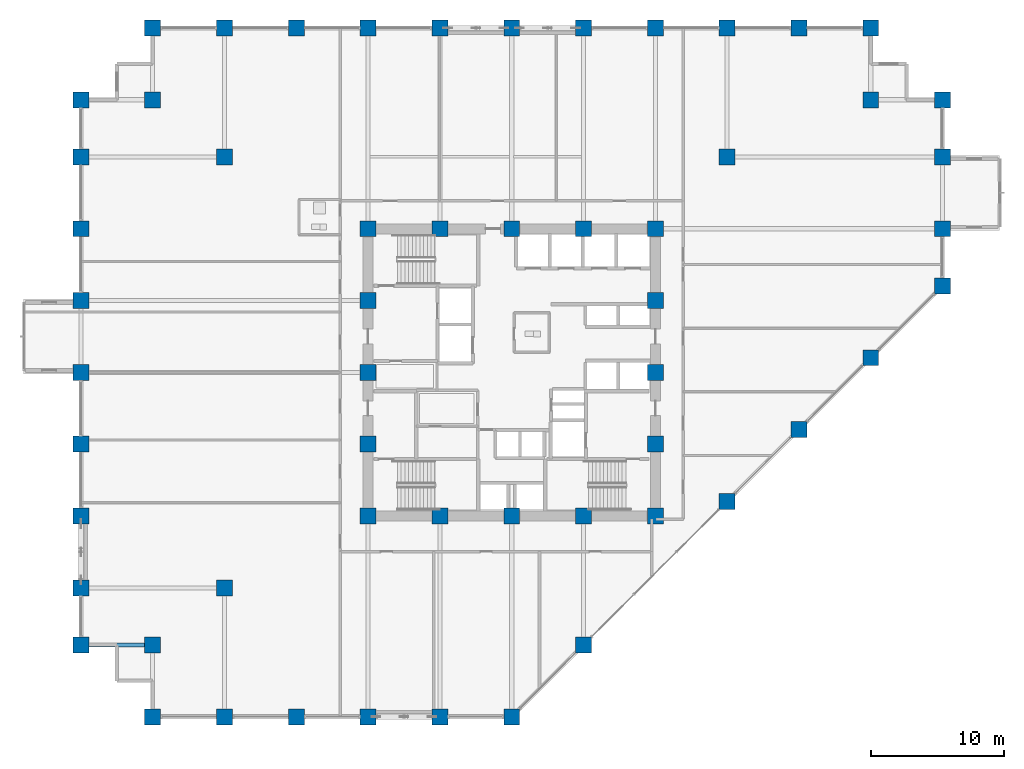
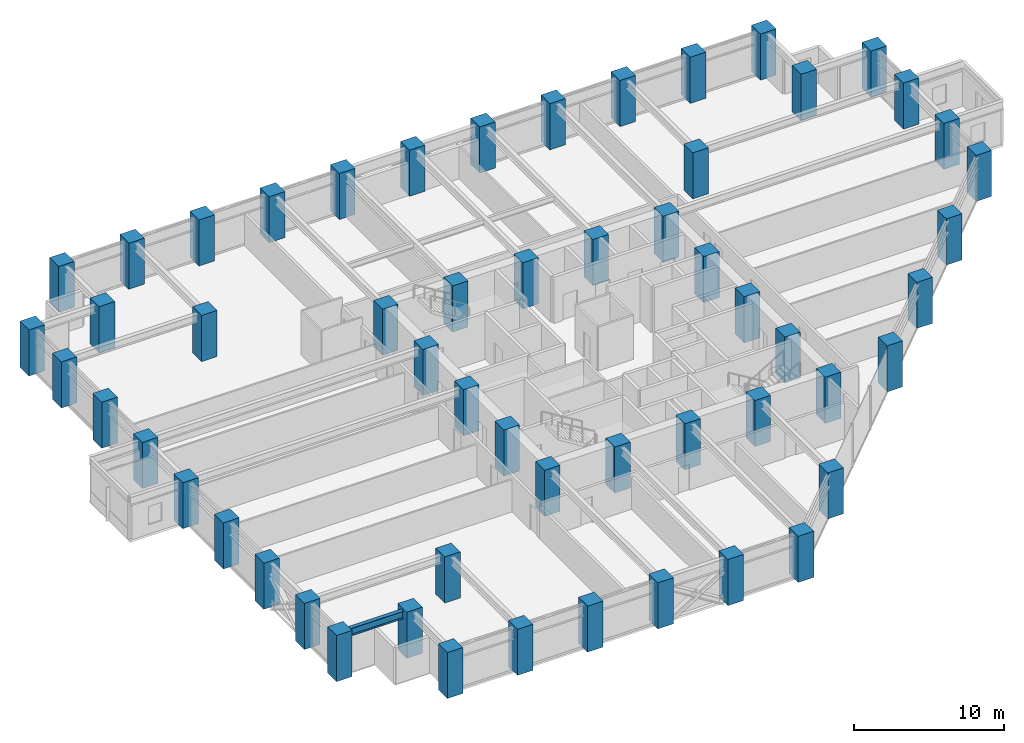
# One storey, part 1 of 28: 56 columns, 1 beam.
"""IFC4 building model written with IfcOpenShell, lengths in metres."""

from ifc_helpers import new_model, si_unit, direction, frame, origin, origin_2d, place, context, subcontext, project, spatial, rectangle, i_section, extrude, material, material_profile, profile_set, type_object, element, save


model = new_model("IFC4")

# Units and contexts
model_context = context("Model", 3, precision=1e-05, world=origin(), true_north=direction((0.0, 1.0)))
body_context = subcontext(model_context, "Body", "Model", "MODEL_VIEW")
ifc_project = project(units=[si_unit("LENGTHUNIT", "METRE"), si_unit("AREAUNIT", "SQUARE_METRE"), si_unit("VOLUMEUNIT", "CUBIC_METRE"), si_unit("PLANEANGLEUNIT", "RADIAN"), si_unit("MASSUNIT", "GRAM", prefix="KILO")], contexts=[model_context])

# Site, building, storey
site_placement = place(None, origin())
site = spatial("IfcSite", under=ifc_project, at=site_placement, CompositionType="ELEMENT")
building_placement = place(site_placement, origin())
building = spatial("IfcBuilding", under=site, at=building_placement, Name="Surkhivell Harbour Commons", CompositionType="ELEMENT")
storey_placement = place(building_placement, frame((0.0, 0.0, 67.5)))
storey = spatial("IfcBuildingStorey", under=building, at=storey_placement, Name="L17", CompositionType="ELEMENT", Elevation=67.5)

# Columns
ifc_material_1 = material(Name="Concrete C80/95", Category="concrete")
ifc_material_profile_1 = material_profile(ifc_material_1, rectangle(XDim=1.199951171875, YDim=1.199951171875, at=origin_2d()), Name="RC-COL-1200x1200")
ifc_profile_set_1 = profile_set([ifc_material_profile_1], Name="Concrete C80/95")
column_type = type_object("IfcColumnType", Name="COL-TUBE-Z1B", PredefinedType="COLUMN", material=ifc_profile_set_1)
for number, where, z_axis, x_axis, name in (
    (1, (-32.39990234375, -20.5, 0.0), (0.0, 0.0, 1.0), (1.0, 0.0, 0.0), "L17 Column CT-1B (-32.4,-20.5)"),
    (2, (-32.39990234375, -16.199951171875, 0.0), (0.0, 0.0, 1.0), (1.0, 0.0, 0.0), "L17 Column CT-1B (-32.4,-16.2)"),
    (3, (-32.39990234375, -10.800048828125, 0.0), (0.0, 0.0, 1.0), (1.0, 0.0, 0.0), "L17 Column CT-1B (-32.4,-10.8)"),
    (4, (-32.39990234375, -5.39990234375, 0.0), (0.0, 0.0, 1.0), (1.0, 0.0, 0.0), "L17 Column CT-1B (-32.4,-5.4)"),
    (5, (-32.39990234375, 0.0, 0.0), (0.0, 0.0, 1.0), (1.0, 0.0, 0.0), "L17 Column CT-1B (-32.4,0.0)"),
    (6, (-32.39990234375, 5.39990234375, 0.0), (0.0, 0.0, 1.0), (1.0, 0.0, 0.0), "L17 Column CT-1B (-32.4,5.4)"),
    (7, (-32.39990234375, 10.800048828125, 0.0), (0.0, 0.0, 1.0), (1.0, 0.0, 0.0), "L17 Column CT-1B (-32.4,10.8)"),
    (8, (-32.39990234375, 16.199951171875, 0.0), (0.0, 0.0, 1.0), (1.0, 0.0, 0.0), "L17 Column CT-1B (-32.4,16.2)"),
    (9, (-32.39990234375, 20.5, 0.0), (0.0, 0.0, 1.0), (1.0, 0.0, 0.0), "L17 Column CT-1B (-32.4,20.5)"),
    (10, (-27.0, -25.89990234375, 0.0), (0.0, 0.0, 1.0), (1.0, 0.0, 0.0), "L17 Column CT-1B (-27.0,-25.9)"),
    (11, (-27.0, -20.5, 0.0), (0.0, 0.0, 1.0), (1.0, 0.0, 0.0), "L17 Column CT-1B (-27.0,-20.5)"),
    (12, (-27.0, 20.5, 0.0), (0.0, 0.0, 1.0), (1.0, 0.0, 0.0), "L17 Column CT-1B (-27.0,20.5)"),
    (13, (-27.0, 25.89990234375, 0.0), (0.0, 0.0, 1.0), (1.0, 0.0, 0.0), "L17 Column CT-1B (-27.0,25.9)"),
    (14, (-21.60009765625, -25.89990234375, 0.0), (0.0, 0.0, 1.0), (1.0, 0.0, 0.0), "L17 Column CT-1B (-21.6,-25.9)"),
    (15, (-21.60009765625, -16.199951171875, 0.0), (0.0, 0.0, 1.0), (1.0, 0.0, 0.0), "L17 Column CT-1B (-21.6,-16.2)"),
    (16, (-21.60009765625, 16.199951171875, 0.0), (0.0, 0.0, 1.0), (1.0, 0.0, 0.0), "L17 Column CT-1B (-21.6,16.2)"),
    (17, (-21.60009765625, 25.89990234375, 0.0), (0.0, 0.0, 1.0), (1.0, 0.0, 0.0), "L17 Column CT-1B (-21.6,25.9)"),
    (18, (-16.199951171875, -25.89990234375, 0.0), (0.0, 0.0, 1.0), (1.0, 0.0, 0.0), "L17 Column CT-1B (-16.2,-25.9)"),
    (19, (-16.199951171875, 25.89990234375, 0.0), (0.0, 0.0, 1.0), (1.0, 0.0, 0.0), "L17 Column CT-1B (-16.2,25.9)"),
    (20, (-10.800048828125, -25.89990234375, 0.0), (0.0, 0.0, 1.0), (1.0, 0.0, 0.0), "L17 Column CT-1B (-10.8,-25.9)"),
    (21, (-10.800048828125, -10.800048828125, 0.0), (0.0, 0.0, 1.0), (1.0, 0.0, 0.0), "L17 Column CT-1B (-10.8,-10.8)"),
    (22, (-10.800048828125, -5.39990234375, 0.0), (0.0, 0.0, 1.0), (1.0, 0.0, 0.0), "L17 Column CT-1B (-10.8,-5.4)"),
    (23, (-10.800048828125, 0.0, 0.0), (0.0, 0.0, 1.0), (1.0, 0.0, 0.0), "L17 Column CT-1B (-10.8,0.0)"),
    (24, (-10.800048828125, 5.39990234375, 0.0), (0.0, 0.0, 1.0), (1.0, 0.0, 0.0), "L17 Column CT-1B (-10.8,5.4)"),
    (25, (-10.800048828125, 10.800048828125, 0.0), (0.0, 0.0, 1.0), (1.0, 0.0, 0.0), "L17 Column CT-1B (-10.8,10.8)"),
    (26, (-10.800048828125, 25.89990234375, 0.0), (0.0, 0.0, 1.0), (1.0, 0.0, 0.0), "L17 Column CT-1B (-10.8,25.9)"),
    (27, (-5.39990234375, -25.89990234375, 0.0), (0.0, 0.0, 1.0), (1.0, 0.0, 0.0), "L17 Column CT-1B (-5.4,-25.9)"),
    (28, (-5.39990234375, -10.800048828125, 0.0), (0.0, 0.0, 1.0), (1.0, 0.0, 0.0), "L17 Column CT-1B (-5.4,-10.8)"),
    (29, (-5.39990234375, 10.800048828125, 0.0), (0.0, 0.0, 1.0), (1.0, 0.0, 0.0), "L17 Column CT-1B (-5.4,10.8)"),
    (30, (-5.39990234375, 25.89990234375, 0.0), (0.0, 0.0, 1.0), (1.0, 0.0, 0.0), "L17 Column CT-1B (-5.4,25.9)"),
    (31, (0.0, -25.89990234375, 0.0), (0.0, 0.0, 1.0), (1.0, 0.0, 0.0), "L17 Column CT-1B (-0.0,-25.9)"),
    (32, (0.0, -10.800048828125, 0.0), (0.0, 0.0, 1.0), (1.0, 0.0, 0.0), "L17 Column CT-1B (0.0,-10.8)"),
    (33, (0.0, 10.800048828125, 0.0), (0.0, 0.0, 1.0), (1.0, 0.0, 0.0), "L17 Column CT-1B (0.0,10.8)"),
    (34, (0.0, 25.89990234375, 0.0), (0.0, 0.0, 1.0), (1.0, 0.0, 0.0), "L17 Column CT-1B (-0.0,25.9)"),
    (35, (5.39990234375, -20.5, 0.0), (0.0, 0.0, 1.0), (1.0, 0.0, 0.0), "L17 Column CT-1B (5.4,-20.5)"),
    (36, (5.39990234375, -10.800048828125, 0.0), (0.0, 0.0, 1.0), (1.0, 0.0, 0.0), "L17 Column CT-1B (5.4,-10.8)"),
    (37, (5.39990234375, 10.800048828125, 0.0), (0.0, 0.0, 1.0), (1.0, 0.0, 0.0), "L17 Column CT-1B (5.4,10.8)"),
    (38, (5.39990234375, 25.89990234375, 0.0), (0.0, 0.0, 1.0), (1.0, 0.0, 0.0), "L17 Column CT-1B (5.4,25.9)"),
    (39, (10.800048828125, -10.800048828125, 0.0), (0.0, 0.0, 1.0), (1.0, 0.0, 0.0), "L17 Column CT-1B (10.8,-10.8)"),
    (40, (10.800048828125, -5.39990234375, 0.0), (0.0, 0.0, 1.0), (1.0, 0.0, 0.0), "L17 Column CT-1B (10.8,-5.4)"),
    (41, (10.800048828125, 0.0, 0.0), (0.0, 0.0, 1.0), (1.0, 0.0, 0.0), "L17 Column CT-1B (10.8,0.0)"),
    (42, (10.800048828125, 5.39990234375, 0.0), (0.0, 0.0, 1.0), (1.0, 0.0, 0.0), "L17 Column CT-1B (10.8,5.4)"),
    (43, (10.800048828125, 10.800048828125, 0.0), (0.0, 0.0, 1.0), (1.0, 0.0, 0.0), "L17 Column CT-1B (10.8,10.8)"),
    (44, (10.800048828125, 25.89990234375, 0.0), (0.0, 0.0, 1.0), (1.0, 0.0, 0.0), "L17 Column CT-1B (10.8,25.9)"),
    (45, (16.199951171875, -9.699951171875, 0.0), (0.0, 0.0, 1.0), (1.0, 0.0, 0.0), "L17 Column CT-1B (16.2,-9.7)"),
    (46, (16.199951171875, 16.199951171875, 0.0), (0.0, 0.0, 1.0), (1.0, 0.0, 0.0), "L17 Column CT-1B (16.2,16.2)"),
    (47, (16.199951171875, 25.89990234375, 0.0), (0.0, 0.0, 1.0), (1.0, 0.0, 0.0), "L17 Column CT-1B (16.2,25.9)"),
    (48, (21.60009765625, -4.300048828125, 0.0), (0.0, 0.0, 1.0), (1.0, 0.0, 0.0), "L17 Column CT-1B (21.6,-4.3)"),
    (49, (21.60009765625, 25.89990234375, 0.0), (0.0, 0.0, 1.0), (1.0, 0.0, 0.0), "L17 Column CT-1B (21.6,25.9)"),
    (50, (27.0, 1.10009765625, 0.0), (0.0, 0.0, 1.0), (1.0, 0.0, 0.0), "L17 Column CT-1B (27.0,1.1)"),
    (51, (27.0, 20.5, 0.0), (0.0, 0.0, 1.0), (1.0, 0.0, 0.0), "L17 Column CT-1B (27.0,20.5)"),
    (52, (27.0, 25.89990234375, 0.0), (0.0, 0.0, 1.0), (1.0, 0.0, 0.0), "L17 Column CT-1B (27.0,25.9)"),
    (53, (32.39990234375, 6.5, 0.0), (0.0, 0.0, 1.0), (1.0, 0.0, 0.0), "L17 Column CT-1B (32.4,6.5)"),
    (54, (32.39990234375, 10.800048828125, 0.0), (0.0, 0.0, 1.0), (1.0, 0.0, 0.0), "L17 Column CT-1B (32.4,10.8)"),
    (55, (32.39990234375, 16.199951171875, 0.0), (0.0, 0.0, 1.0), (1.0, 0.0, 0.0), "L17 Column CT-1B (32.4,16.2)"),
    (56, (32.39990234375, 20.5, 0.0), (0.0, 0.0, 1.0), (1.0, 0.0, 0.0), "L17 Column CT-1B (32.4,20.5)"),
):
    element("IfcColumn", number, at=place(storey_placement, frame(where, z_axis=z_axis, x_axis=x_axis)), inside=storey, type_object=column_type, Name=name, PredefinedType="COLUMN", context=body_context, shape_type="SweptSolid", body=[
        extrude(rectangle(XDim=1.199951171875, YDim=1.199951171875, at=origin_2d()), origin(), (0.0, 0.0, 1.0), 3.75),
    ])

# Beam
ifc_material_2 = material(Name="Steel S355", Category="steel")
ifc_material_profile_2 = material_profile(ifc_material_2, i_section(OverallWidth=0.306884765625, OverallDepth=0.6201171875, WebThickness=0.01416015625, FlangeThickness=0.023681640625, at=origin_2d()), Name="UB610x305x179")
ifc_profile_set_2 = profile_set([ifc_material_profile_2], Name="Steel S355")
beam_type = type_object("IfcBeamType", Name="BM-GRD-610A", PredefinedType="BEAM", material=ifc_profile_set_2)
beam_placement = place(storey_placement, frame((-32.39990234375, -20.5, 3.260009765625), z_axis=(1.0, 0.0, 0.0), x_axis=(0.0, 1.0, 0.0)))
element("IfcBeam", 57, at=beam_placement, inside=storey, type_object=beam_type, Name="L17 Floor Girder (-32.4,-20.5)", PredefinedType="BEAM", context=body_context, shape_type="SweptSolid", body=[
    extrude(i_section(OverallWidth=0.306884765625, OverallDepth=0.6201171875, WebThickness=0.01416015625, FlangeThickness=0.023681640625, at=origin_2d()), origin(), (0.0, 0.0, 1.0), 5.39990234375),
])

save(model, "model.ifc")
